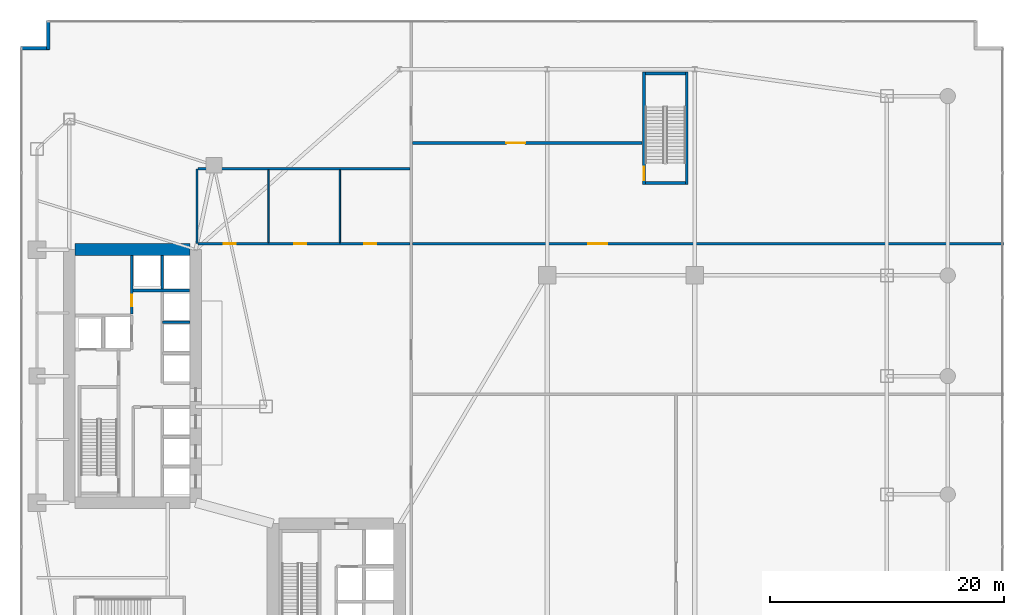
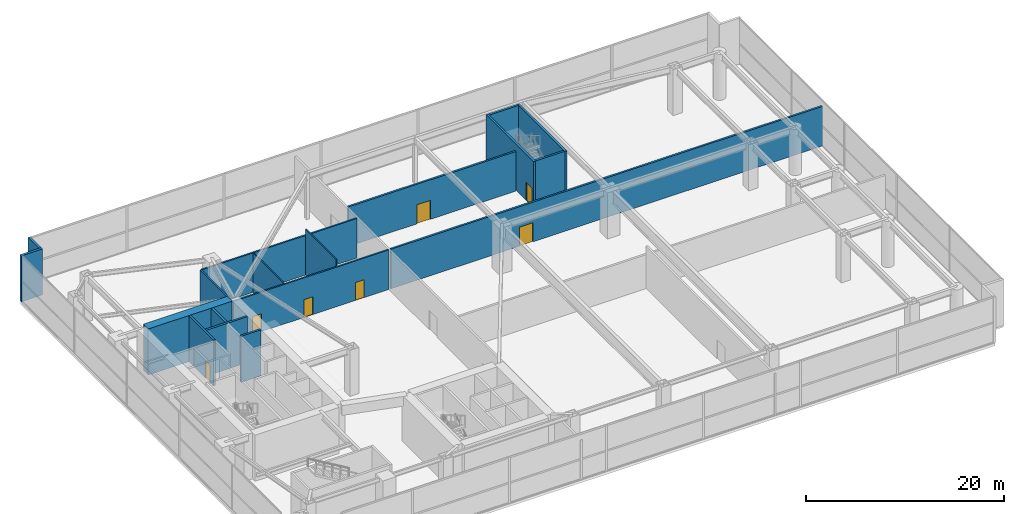
# One storey, part 32 of 35: 18 walls, 7 doors, 7 openings.
"""IFC4 building model written with IfcOpenShell, lengths in metres."""

from ifc_helpers import new_model, si_unit, direction, frame, frame_2d, origin, place, context, subcontext, project, spatial, rectangle, extrude, material, layer, layer_set, type_object, element, fill, save


model = new_model("IFC4")

# Units and contexts
model_context = context("Model", 3, precision=1e-05, world=origin(), true_north=direction((0.0, 1.0)))
body_context = subcontext(model_context, "Body", "Model", "MODEL_VIEW")
ifc_project = project(units=[si_unit("LENGTHUNIT", "METRE"), si_unit("AREAUNIT", "SQUARE_METRE"), si_unit("VOLUMEUNIT", "CUBIC_METRE"), si_unit("PLANEANGLEUNIT", "RADIAN"), si_unit("MASSUNIT", "GRAM", prefix="KILO")], contexts=[model_context])

# Site, building, storey
site_placement = place(None, origin())
site = spatial("IfcSite", under=ifc_project, at=site_placement, CompositionType="ELEMENT")
building_placement = place(site_placement, origin())
building = spatial("IfcBuilding", under=site, at=building_placement, Name="Calvorn Quay Hotel", CompositionType="ELEMENT")
storey_placement = place(building_placement, frame((0.0, 0.0, 6.0)))
storey = spatial("IfcBuildingStorey", under=building, at=storey_placement, Name="L01", CompositionType="ELEMENT", Elevation=6.0)

# Wall
ifc_material_1 = material(Name="Concrete C60", Category="concrete")
ifc_layer_1 = layer(ifc_material_1, 1.0)
ifc_layer_set_1 = layer_set([ifc_layer_1], Name="WL-CORE-1000")
wall_type_1 = type_object("IfcWallType", Name="WL-CORE-1000", PredefinedType="SHEAR", material=ifc_layer_set_1)
wall_1_placement = place(storey_placement, frame((4.699951171875, 38.39990234375, 0.0), z_axis=(0.0, 0.0, 1.0), x_axis=(1.0, 0.0, 0.0)))
element("IfcWall", 1, at=wall_1_placement, inside=storey, type_object=wall_type_1, Name="West Core Shear Wall N (L01)", PredefinedType="SHEAR", context=body_context, shape_type="SweptSolid", body=[
    extrude(rectangle(XDim=9.800048828125, YDim=1.0, at=frame_2d((4.89990234375, 0.0))), origin(), (0.0, 0.0, 1.0), 5.679931640625),
])

# Wall, openings, doors
ifc_material_2 = material(Name="Acoustic Fireboard Steel-Stud Partition", Category="steel")
ifc_layer_2 = layer(ifc_material_2, 0.179931640625)
ifc_layer_set_2 = layer_set([ifc_layer_2], Name="WL-CORR-FIRE-180")
wall_type_2 = type_object("IfcWallType", Name="WL-CORR-FIRE-180", PredefinedType="PARTITIONING", material=ifc_layer_set_2)
wall_2_placement = place(storey_placement, frame((15.199951171875, 38.89990234375, 0.0), z_axis=(0.0, 0.0, 1.0), x_axis=(1.0, 0.0, 0.0)))
wall_2 = element("IfcWall", 2, at=wall_2_placement, inside=storey, type_object=wall_type_2, Name="Partition Wall L01-WL-PWC-S", PredefinedType="PARTITIONING", context=body_context, shape_type="SweptSolid", body=[
    extrude(rectangle(XDim=18.10009765625, YDim=0.179931640625, at=frame_2d((9.050048828125, 0.0))), origin(), (0.0, 0.0, 1.0), 4.8798828125),
])
opening_1_placement = place(wall_2_placement, frame((2.199951171875, 0.0, 0.0)))
opening_1 = element("IfcOpeningElement", 3, at=opening_1_placement, cuts=wall_2, Name="Opening D-L01-WM", PredefinedType="OPENING", context=body_context, shape_type="SweptSolid", body=[
    extrude(rectangle(XDim=1.02001953125, YDim=2.199951171875, at=frame_2d((0.510009765625, 1.10009765625))), frame((0.0, 0.099853515625, 0.0), z_axis=(0.0, -1.0, 0.0), x_axis=(1.0, 0.0, 0.0)), (0.0, 0.0, 1.0), 0.199951171875),
])
opening_2_placement = place(wall_2_placement, frame((8.199951171875, 0.0, 0.0)))
opening_2 = element("IfcOpeningElement", 4, at=opening_2_placement, cuts=wall_2, Name="Opening D-L01-WF", PredefinedType="OPENING", context=body_context, shape_type="SweptSolid", body=[
    extrude(rectangle(XDim=1.02001953125, YDim=2.199951171875, at=frame_2d((0.510009765625, 1.10009765625))), frame((0.0, 0.099853515625, 0.0), z_axis=(0.0, -1.0, 0.0), x_axis=(1.0, 0.0, 0.0)), (0.0, 0.0, 1.0), 0.199951171875),
])
opening_3_placement = place(wall_2_placement, frame((14.199951171875, 0.0, 0.0)))
opening_3 = element("IfcOpeningElement", 5, at=opening_3_placement, cuts=wall_2, Name="Opening D-L01-WA", PredefinedType="OPENING", context=body_context, shape_type="SweptSolid", body=[
    extrude(rectangle(XDim=1.02001953125, YDim=2.199951171875, at=frame_2d((0.510009765625, 1.10009765625))), frame((0.0, 0.099853515625, 0.0), z_axis=(0.0, -1.0, 0.0), x_axis=(1.0, 0.0, 0.0)), (0.0, 0.0, 1.0), 0.199951171875),
])
ifc_material_3 = material(Name="Solid-Core Walnut Veneer Hotel Fire Door")
door_type_1 = type_object("IfcDoorType", Name="DR-GUEST-ENTRY-1020", OperationType="NOTDEFINED", PredefinedType="DOOR", material=ifc_material_3)
door_1_placement = place(opening_1_placement, origin())
door_1 = element("IfcDoor", 6, at=door_1_placement, inside=storey, type_object=door_type_1, Name="Male WC Door", OperationType="SINGLE_SWING_LEFT", OverallHeight=2.199951171875, OverallWidth=1.02001953125, PredefinedType="DOOR", context=body_context, shape_type="SweptSolid", body=[
    extrude(rectangle(XDim=1.02001953125, YDim=2.199951171875, at=frame_2d((0.510009765625, 1.10009765625))), frame((0.0, 0.02490234375, 0.0), z_axis=(0.0, -1.0, 0.0), x_axis=(1.0, 0.0, 0.0)), (0.0, 0.0, 1.0), 0.050048828125),
])
fill(opening_1, door_1)
door_2_placement = place(opening_2_placement, origin())
door_2 = element("IfcDoor", 7, at=door_2_placement, inside=storey, type_object=door_type_1, Name="Female WC Door", OperationType="SINGLE_SWING_RIGHT", OverallHeight=2.199951171875, OverallWidth=1.02001953125, PredefinedType="DOOR", context=body_context, shape_type="SweptSolid", body=[
    extrude(rectangle(XDim=1.02001953125, YDim=2.199951171875, at=frame_2d((0.510009765625, 1.10009765625))), frame((0.0, 0.02490234375, 0.0), z_axis=(0.0, -1.0, 0.0), x_axis=(1.0, 0.0, 0.0)), (0.0, 0.0, 1.0), 0.050048828125),
])
fill(opening_2, door_2)
door_3_placement = place(opening_3_placement, origin())
door_3 = element("IfcDoor", 8, at=door_3_placement, inside=storey, type_object=door_type_1, Name="Accessible WC Door", OperationType="SINGLE_SWING_LEFT", OverallHeight=2.199951171875, OverallWidth=1.02001953125, PredefinedType="DOOR", context=body_context, shape_type="SweptSolid", body=[
    extrude(rectangle(XDim=1.02001953125, YDim=2.199951171875, at=frame_2d((0.510009765625, 1.10009765625))), frame((0.0, 0.02490234375, 0.0), z_axis=(0.0, -1.0, 0.0), x_axis=(1.0, 0.0, 0.0)), (0.0, 0.0, 1.0), 0.050048828125),
])
fill(opening_3, door_3)

# Walls
wall_3_placement = place(storey_placement, frame((15.199951171875, 45.300048828125, 0.0), z_axis=(0.0, 0.0, 1.0), x_axis=(1.0, 0.0, 0.0)))
element("IfcWall", 9, at=wall_3_placement, inside=storey, type_object=wall_type_2, Name="Partition Wall L01-WL-PWC-N", PredefinedType="PARTITIONING", context=body_context, shape_type="SweptSolid", body=[
    extrude(rectangle(XDim=18.10009765625, YDim=0.179931640625, at=frame_2d((9.050048828125, 0.0))), origin(), (0.0, 0.0, 1.0), 4.8798828125),
])
wall_4_placement = place(storey_placement, frame((15.10009765625, 38.89990234375, 0.0), z_axis=(0.0, 0.0, 1.0), x_axis=(0.0, 1.0, 0.0)))
element("IfcWall", 10, at=wall_4_placement, inside=storey, type_object=wall_type_2, Name="Partition Wall L01-WL-PWC-W", PredefinedType="PARTITIONING", context=body_context, shape_type="SweptSolid", body=[
    extrude(rectangle(XDim=6.400146484375, YDim=0.179931640625, at=frame_2d((3.2001953125, 0.0))), origin(), (0.0, 0.0, 1.0), 4.8798828125),
])
ifc_material_4 = material(Name="Moisture-Resistant Tile-Backed Partition")
ifc_layer_3 = layer(ifc_material_4, 0.125)
ifc_layer_set_3 = layer_set([ifc_layer_3], Name="WL-ENSUITE-125")
wall_type_3 = type_object("IfcWallType", Name="WL-ENSUITE-125", PredefinedType="PARTITIONING", material=ifc_layer_set_3)
wall_5_placement = place(storey_placement, frame((21.199951171875, 39.0, 0.0), z_axis=(0.0, 0.0, 1.0), x_axis=(0.0, 1.0, 0.0)))
element("IfcWall", 11, at=wall_5_placement, inside=storey, type_object=wall_type_3, Name="Partition Wall L01-WL-PWC-D1", PredefinedType="PARTITIONING", context=body_context, shape_type="SweptSolid", body=[
    extrude(rectangle(XDim=6.199951171875, YDim=0.125, at=frame_2d((3.10009765625, 0.0))), origin(), (0.0, 0.0, 1.0), 4.8798828125),
])
wall_6_placement = place(storey_placement, frame((27.300048828125, 39.0, 0.0), z_axis=(0.0, 0.0, 1.0), x_axis=(0.0, 1.0, 0.0)))
element("IfcWall", 12, at=wall_6_placement, inside=storey, type_object=wall_type_3, Name="Partition Wall L01-WL-PWC-D2", PredefinedType="PARTITIONING", context=body_context, shape_type="SweptSolid", body=[
    extrude(rectangle(XDim=6.199951171875, YDim=0.125, at=frame_2d((3.10009765625, 0.0))), origin(), (0.0, 0.0, 1.0), 5.679931640625),
])
ifc_material_5 = material(Name="Concrete C40", Category="concrete")
ifc_layer_4 = layer(ifc_material_5, 0.320068359375)
ifc_layer_set_4 = layer_set([ifc_layer_4], Name="WL-EXT-SPANDREL-320")
wall_type_4 = type_object("IfcWallType", Name="WL-EXT-SPANDREL-320", PredefinedType="SOLIDWALL", material=ifc_layer_set_4)
for number, where, z_axis, x_axis, name in (
    (13, (2.39990234375, 57.9599609375, 0.0), (0.0, 0.0, 1.0), (0.0, -1.0, 0.0), "Podium Notched Corner Wall L01-NW1"),
    (14, (2.5, 55.60009765625, 0.0), (0.0, 0.0, 1.0), (-1.0, 0.0, 0.0), "Podium Notched Corner Wall L01-NW2"),
):
    element("IfcWall", number, at=place(storey_placement, frame(where, z_axis=z_axis, x_axis=x_axis)), inside=storey, type_object=wall_type_4, Name=name, PredefinedType="SOLIDWALL", context=body_context, shape_type="SweptSolid", body=[
        extrude(rectangle(XDim=2.4599609375, YDim=0.280029296875, at=frame_2d((1.22998046875, 0.0))), origin(), (0.0, 0.0, 1.0), 5.679931640625),
    ])

# Wall, opening, door
ifc_material_6 = material(Name="Autoclaved Aerated Masonry Block", Category="masonry")
ifc_layer_5 = layer(ifc_material_6, 0.219970703125)
ifc_layer_set_5 = layer_set([ifc_layer_5], Name="WL-LOBBY-FIRE-220")
wall_type_5 = type_object("IfcWallType", Name="WL-LOBBY-FIRE-220", PredefinedType="SOLIDWALL", material=ifc_layer_set_5)
wall_7_placement = place(storey_placement, frame((9.5400390625, 32.919921875, 0.0), z_axis=(0.0, 0.0, 1.0), x_axis=(0.0, 1.0, 0.0)))
wall_7 = element("IfcWall", 15, at=wall_7_placement, inside=storey, type_object=wall_type_5, Name="Partition Wall L01-WL-CWW-K-E", PredefinedType="SOLIDWALL", context=body_context, shape_type="SweptSolid", body=[
    extrude(rectangle(XDim=4.9599609375, YDim=0.219970703125, at=frame_2d((2.47998046875, 0.0))), origin(), (0.0, 0.0, 1.0), 5.679931640625),
])
opening_4_placement = place(wall_7_placement, frame((0.64990234375, 0.0, 0.0)))
opening_4 = element("IfcOpeningElement", 16, at=opening_4_placement, cuts=wall_7, Name="Opening D-L01-CK1", PredefinedType="OPENING", context=body_context, shape_type="SweptSolid", body=[
    extrude(rectangle(XDim=0.97998046875, YDim=2.14990234375, at=frame_2d((0.489990234375, 1.074951171875))), frame((0.0, 0.119873046875, 0.0), z_axis=(0.0, -1.0, 0.0), x_axis=(1.0, 0.0, 0.0)), (0.0, 0.0, 1.0), 0.239990234375),
])
ifc_material_7 = material(Name="Painted Steel Housekeeping/Riser Fire Door", Category="steel")
door_type_2 = type_object("IfcDoorType", Name="DR-SERVICE-980", OperationType="NOTDEFINED", PredefinedType="DOOR", material=ifc_material_7)
door_4_placement = place(opening_4_placement, origin())
door_4 = element("IfcDoor", 17, at=door_4_placement, inside=storey, type_object=door_type_2, Name="Core Linen Room Door (L01)", OperationType="SINGLE_SWING_LEFT", OverallHeight=2.14990234375, OverallWidth=0.97998046875, PredefinedType="DOOR", context=body_context, shape_type="SweptSolid", body=[
    extrude(rectangle(XDim=0.97998046875, YDim=2.14990234375, at=frame_2d((0.489990234375, 1.074951171875))), frame((0.0, 0.02490234375, 0.0), z_axis=(0.0, -1.0, 0.0), x_axis=(1.0, 0.0, 0.0)), (0.0, 0.0, 1.0), 0.050048828125),
])
fill(opening_4, door_4)

wall_8_placement = place(storey_placement, frame((33.52001953125, 38.89990234375, 0.0), z_axis=(0.0, 0.0, 1.0), x_axis=(1.0, 0.0, 0.0)))
wall_8 = element("IfcWall", 18, at=wall_8_placement, inside=storey, type_object=wall_type_5, Name="Partition Wall L01-WL-L01-BR-N", PredefinedType="SOLIDWALL", context=body_context, shape_type="SweptSolid", body=[
    extrude(rectangle(XDim=50.419921875, YDim=0.219970703125, at=frame_2d((25.2099609375, 0.0))), origin(), (0.0, 0.0, 1.0), 4.8798828125),
])
opening_5_placement = place(wall_8_placement, frame((15.0, 0.0, 0.0)))
opening_5 = element("IfcOpeningElement", 19, at=opening_5_placement, cuts=wall_8, Name="Opening D-L01-BR3", PredefinedType="OPENING", context=body_context, shape_type="SweptSolid", body=[
    extrude(rectangle(XDim=1.60009765625, YDim=2.35009765625, at=frame_2d((0.800048828125, 1.175048828125))), frame((0.0, 0.119873046875, 0.0), z_axis=(0.0, -1.0, 0.0), x_axis=(1.0, 0.0, 0.0)), (0.0, 0.0, 1.0), 0.239990234375),
])
ifc_material_8 = material(Name="Heavy-Duty Steel Acoustic Plant Fire Door", Category="steel")
door_type_3 = type_object("IfcDoorType", Name="DR-PLANT-DBL-1600", OperationType="NOTDEFINED", PredefinedType="DOOR", material=ifc_material_8)
door_5_placement = place(opening_5_placement, origin())
door_5 = element("IfcDoor", 20, at=door_5_placement, inside=storey, type_object=door_type_3, Name="AV Plant Corridor Door", OperationType="SINGLE_SWING_LEFT", OverallHeight=2.35009765625, OverallWidth=1.60009765625, PredefinedType="DOOR", context=body_context, shape_type="SweptSolid", body=[
    extrude(rectangle(XDim=1.60009765625, YDim=2.35009765625, at=frame_2d((0.800048828125, 1.175048828125))), frame((0.0, 0.02490234375, 0.0), z_axis=(0.0, -1.0, 0.0), x_axis=(1.0, 0.0, 0.0)), (0.0, 0.0, 1.0), 0.050048828125),
])
fill(opening_5, door_5)

wall_9_placement = place(storey_placement, frame((33.52001953125, 47.5, 0.0), z_axis=(0.0, 0.0, 1.0), x_axis=(1.0, 0.0, 0.0)))
wall_9 = element("IfcWall", 21, at=wall_9_placement, inside=storey, type_object=wall_type_5, Name="Partition Wall L01-WL-L01-BK-S", PredefinedType="SOLIDWALL", context=body_context, shape_type="SweptSolid", body=[
    extrude(rectangle(XDim=19.580078125, YDim=0.219970703125, at=frame_2d((9.7900390625, 0.0))), origin(), (0.0, 0.0, 1.0), 4.8798828125),
])
opening_6_placement = place(wall_9_placement, frame((8.0, 0.0, 0.0)))
opening_6 = element("IfcOpeningElement", 22, at=opening_6_placement, cuts=wall_9, Name="Opening D-L01-BK1", PredefinedType="OPENING", context=body_context, shape_type="SweptSolid", body=[
    extrude(rectangle(XDim=1.60009765625, YDim=2.35009765625, at=frame_2d((0.800048828125, 1.175048828125))), frame((0.0, 0.119873046875, 0.0), z_axis=(0.0, -1.0, 0.0), x_axis=(1.0, 0.0, 0.0)), (0.0, 0.0, 1.0), 0.239990234375),
])
door_6_placement = place(opening_6_placement, origin())
door_6 = element("IfcDoor", 23, at=door_6_placement, inside=storey, type_object=door_type_3, Name="Banquet Kitchen Door", OperationType="SINGLE_SWING_LEFT", OverallHeight=2.35009765625, OverallWidth=1.60009765625, PredefinedType="DOOR", context=body_context, shape_type="SweptSolid", body=[
    extrude(rectangle(XDim=1.60009765625, YDim=2.35009765625, at=frame_2d((0.800048828125, 1.175048828125))), frame((0.0, 0.02490234375, 0.0), z_axis=(0.0, -1.0, 0.0), x_axis=(1.0, 0.0, 0.0)), (0.0, 0.0, 1.0), 0.050048828125),
])
fill(opening_6, door_6)

ifc_material_9 = material(Name="Concrete C40", Category="concrete")
ifc_layer_6 = layer(ifc_material_9, 0.239990234375)
ifc_layer_set_6 = layer_set([ifc_layer_6], Name="WL-SHAFT-240")
wall_type_6 = type_object("IfcWallType", Name="WL-SHAFT-240", PredefinedType="SOLIDWALL", material=ifc_layer_set_6)
wall_10_placement = place(storey_placement, frame((53.280029296875, 43.9599609375, 0.0), z_axis=(0.0, 0.0, 1.0), x_axis=(0.0, 1.0, 0.0)))
wall_10 = element("IfcWall", 24, at=wall_10_placement, inside=storey, type_object=wall_type_6, Name="Stair STP1 Shaft Wall W (L01)", PredefinedType="SOLIDWALL", context=body_context, shape_type="SweptSolid", body=[
    extrude(rectangle(XDim=9.580078125, YDim=0.239990234375, at=frame_2d((4.7900390625, 0.0))), origin(), (0.0, 0.0, 1.0), 5.679931640625),
])
opening_7_placement = place(wall_10_placement, frame((0.35009765625, 0.0, 0.0)))
opening_7 = element("IfcOpeningElement", 25, at=opening_7_placement, cuts=wall_10, Name="Opening D-L01-STP1", PredefinedType="OPENING", context=body_context, shape_type="SweptSolid", body=[
    extrude(rectangle(XDim=1.14990234375, YDim=2.199951171875, at=frame_2d((0.574951171875, 1.10009765625))), frame((0.0, 0.1298828125, 0.0), z_axis=(0.0, -1.0, 0.0), x_axis=(1.0, 0.0, 0.0)), (0.0, 0.0, 1.0), 0.260009765625),
])
ifc_material_10 = material(Name="Galvanised Steel Class A Fire Door", Category="steel")
door_type_4 = type_object("IfcDoorType", Name="DR-STAIR-SMOKE-1150", OperationType="NOTDEFINED", PredefinedType="DOOR", material=ifc_material_10)
door_7_placement = place(opening_7_placement, origin())
door_7 = element("IfcDoor", 26, at=door_7_placement, inside=storey, type_object=door_type_4, Name="Podium Stair ST-P1 Fire Door (L01)", OperationType="SINGLE_SWING_LEFT", OverallHeight=2.199951171875, OverallWidth=1.14990234375, PredefinedType="DOOR", context=body_context, shape_type="SweptSolid", body=[
    extrude(rectangle(XDim=1.14990234375, YDim=2.199951171875, at=frame_2d((0.574951171875, 1.10009765625))), frame((0.0, 0.02490234375, 0.0), z_axis=(0.0, -1.0, 0.0), x_axis=(1.0, 0.0, 0.0)), (0.0, 0.0, 1.0), 0.050048828125),
])
fill(opening_7, door_7)

# Walls
wall_11_placement = place(storey_placement, frame((56.919921875, 43.9599609375, 0.0), z_axis=(0.0, 0.0, 1.0), x_axis=(0.0, 1.0, 0.0)))
element("IfcWall", 27, at=wall_11_placement, inside=storey, type_object=wall_type_6, Name="Stair STP1 Shaft Wall E (L01)", PredefinedType="SOLIDWALL", context=body_context, shape_type="SweptSolid", body=[
    extrude(rectangle(XDim=9.580078125, YDim=0.239990234375, at=frame_2d((4.7900390625, 0.0))), origin(), (0.0, 0.0, 1.0), 5.679931640625),
])
for number, where, z_axis, x_axis, name in (
    (28, (53.39990234375, 44.080078125, 0.0), (0.0, 0.0, 1.0), (1.0, 0.0, 0.0), "Stair STP1 Shaft Wall S (L01)"),
    (29, (53.39990234375, 53.419921875, 0.0), (0.0, 0.0, 1.0), (1.0, 0.0, 0.0), "Stair STP1 Shaft Wall N (L01)"),
):
    element("IfcWall", number, at=place(storey_placement, frame(where, z_axis=z_axis, x_axis=x_axis)), inside=storey, type_object=wall_type_6, Name=name, PredefinedType="SOLIDWALL", context=body_context, shape_type="SweptSolid", body=[
        extrude(rectangle(XDim=3.400146484375, YDim=0.239990234375, at=frame_2d((1.7001953125, 0.0))), origin(), (0.0, 0.0, 1.0), 5.679931640625),
    ])
wall_12_placement = place(storey_placement, frame((12.179931640625, 32.199951171875, 0.0), z_axis=(0.0, 0.0, 1.0), x_axis=(1.0, 0.0, 0.0)))
element("IfcWall", 30, at=wall_12_placement, inside=storey, type_object=wall_type_6, Name="Lift Hoistway Divider Wall PLM23 (L01)", PredefinedType="SOLIDWALL", context=body_context, shape_type="SweptSolid", body=[
    extrude(rectangle(XDim=2.320068359375, YDim=0.239990234375, at=frame_2d((1.16015625, 0.0))), origin(), (0.0, 0.0, 1.0), 5.679931640625),
])
wall_13_placement = place(storey_placement, frame((9.659912109375, 34.89990234375, 0.0), z_axis=(0.0, 0.0, 1.0), x_axis=(1.0, 0.0, 0.0)))
element("IfcWall", 31, at=wall_13_placement, inside=storey, type_object=wall_type_6, Name="Partition Wall L01-WL-CWW-PLH-S", PredefinedType="SOLIDWALL", context=body_context, shape_type="SweptSolid", body=[
    extrude(rectangle(XDim=4.820068359375, YDim=0.239990234375, at=frame_2d((2.41015625, 0.0))), origin(), (0.0, 0.0, 1.0), 5.679931640625),
])
wall_14_placement = place(storey_placement, frame((12.14990234375, 35.02001953125, 0.0), z_axis=(0.0, 0.0, 1.0), x_axis=(0.0, 1.0, 0.0)))
element("IfcWall", 32, at=wall_14_placement, inside=storey, type_object=wall_type_6, Name="Partition Wall L01-WL-CWW-PLH-DIV", PredefinedType="SOLIDWALL", context=body_context, shape_type="SweptSolid", body=[
    extrude(rectangle(XDim=2.85986328125, YDim=0.239990234375, at=frame_2d((1.429931640625, 0.0))), origin(), (0.0, 0.0, 1.0), 5.679931640625),
])

save(model, "model.ifc")
